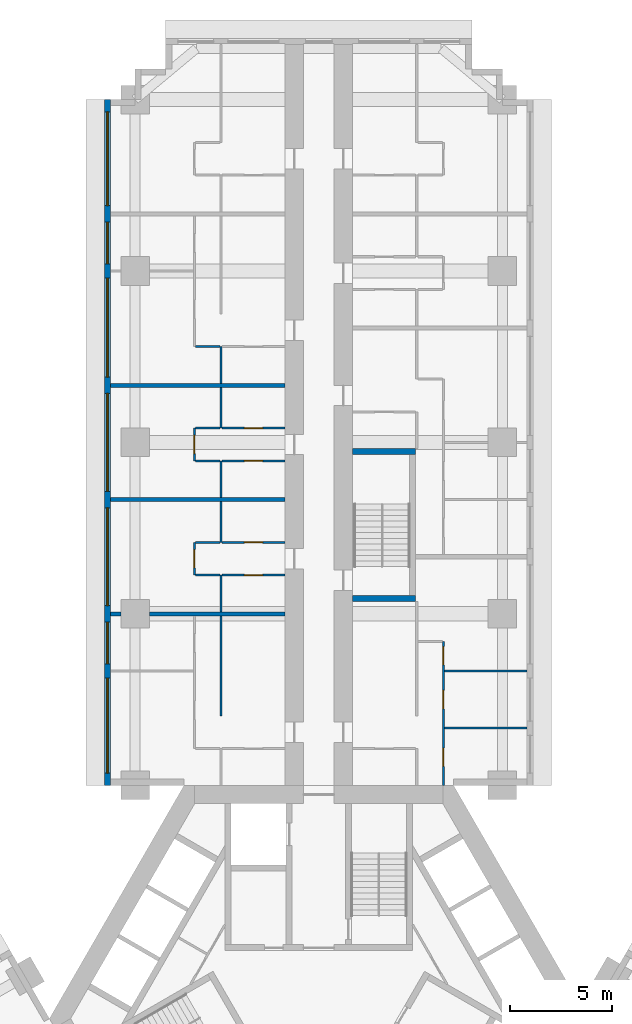
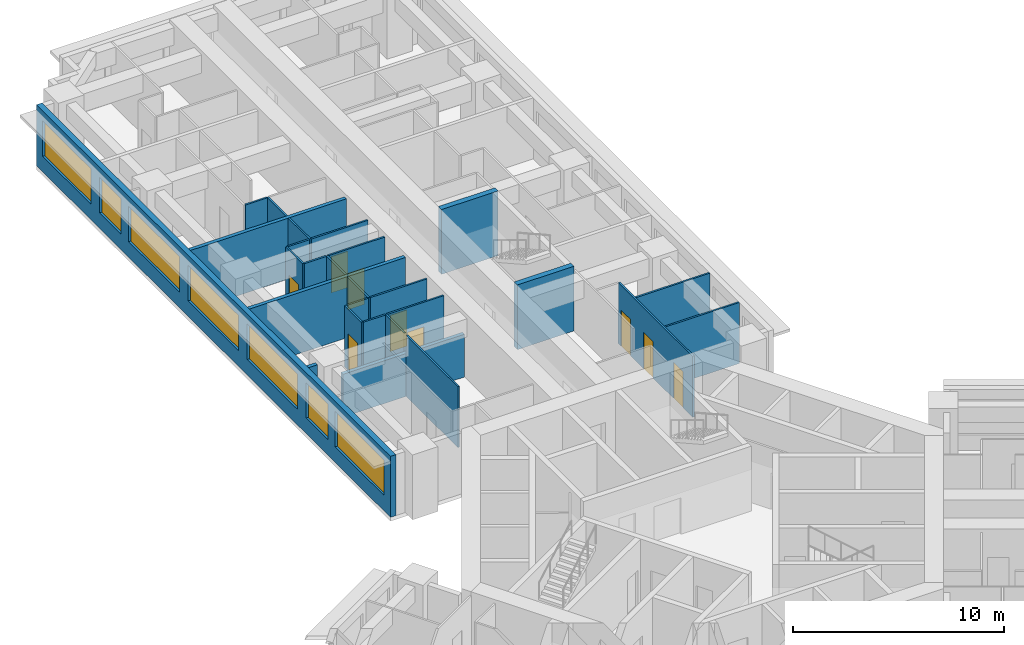
# One storey, part 9 of 16: 27 walls, 9 doors, 7 windows, 16 openings.
"""IFC4 building model written with IfcOpenShell, lengths in metres."""

from ifc_helpers import new_model, si_unit, direction, frame, frame_2d, origin, place, context, subcontext, project, spatial, rectangle, extrude, material, layer, layer_set, type_object, element, fill, save


model = new_model("IFC4")

# Units and contexts
model_context = context("Model", 3, precision=1e-05, world=origin(), true_north=direction((0.0, 1.0)))
body_context = subcontext(model_context, "Body", "Model", "MODEL_VIEW")
ifc_project = project(units=[si_unit("LENGTHUNIT", "METRE"), si_unit("AREAUNIT", "SQUARE_METRE"), si_unit("VOLUMEUNIT", "CUBIC_METRE"), si_unit("PLANEANGLEUNIT", "RADIAN"), si_unit("MASSUNIT", "GRAM", prefix="KILO")], contexts=[model_context])

# Site, building, storey
site_placement = place(None, origin())
site = spatial("IfcSite", under=ifc_project, at=site_placement, CompositionType="ELEMENT")
building_placement = place(site_placement, origin())
building = spatial("IfcBuilding", under=site, at=building_placement, Name="Impinga Residences", CompositionType="ELEMENT")
storey_placement = place(building_placement, frame((0.0, 0.0, 59.75)))
storey = spatial("IfcBuildingStorey", under=building, at=storey_placement, Name="L14", CompositionType="ELEMENT", Elevation=59.75)

# Wall, openings, windows
ifc_material_1 = material(Name="Terracotta rainscreen on blockwork", Category="masonry")
ifc_layer_1 = layer(ifc_material_1, 0.300048828125)
ifc_layer_set_1 = layer_set([ifc_layer_1], Name="EW1 external wall, terracotta rainscreen on blockwork 300")
wall_type_1 = type_object("IfcWallType", Name="EW1 external wall, terracotta rainscreen on blockwork 300", PredefinedType="SOLIDWALL", material=ifc_layer_set_1)
wall_1_placement = place(storey_placement, frame((-10.35009765625, 11.431640625, 0.0), z_axis=(0.0, 0.0, 1.0), x_axis=(0.0, 1.0, 0.0)))
wall_1 = element("IfcWall", 1, at=wall_1_placement, inside=storey, type_object=wall_type_1, Name="External wall EW1 L14", PredefinedType="SOLIDWALL", context=body_context, shape_type="SweptSolid", body=[
    extrude(rectangle(XDim=33.599853515625, YDim=0.300048828125, at=frame_2d((16.7998046875, 0.0))), origin(), (0.0, 0.0, 1.0), 3.530029296875),
])
opening_1_placement = place(wall_1_placement, frame((0.60009765625, 0.0, 0.89990234375)))
opening_1 = element("IfcOpeningElement", 2, at=opening_1_placement, cuts=wall_1, Name="Opening W10", PredefinedType="OPENING", context=body_context, shape_type="SweptSolid", body=[
    extrude(rectangle(XDim=4.64990234375, YDim=2.050048828125, at=frame_2d((2.324951171875, 1.02490234375))), frame((0.0, 0.159912109375, 0.0), z_axis=(0.0, -1.0, 0.0), x_axis=(1.0, 0.0, 0.0)), (0.0, 0.0, 1.0), 0.320068359375),
])
opening_2_placement = place(wall_1_placement, frame((5.949951171875, 0.0, 0.89990234375)))
opening_2 = element("IfcOpeningElement", 3, at=opening_2_placement, cuts=wall_1, Name="Opening W14", PredefinedType="OPENING", context=body_context, shape_type="SweptSolid", body=[
    extrude(rectangle(XDim=2.050048828125, YDim=2.050048828125, at=frame_2d((1.02490234375, 1.02490234375))), frame((0.0, 0.159912109375, 0.0), z_axis=(0.0, -1.0, 0.0), x_axis=(1.0, 0.0, 0.0)), (0.0, 0.0, 1.0), 0.320068359375),
])
opening_3_placement = place(wall_1_placement, frame((8.800048828125, 0.0, 0.89990234375)))
opening_3 = element("IfcOpeningElement", 4, at=opening_3_placement, cuts=wall_1, Name="Opening W8", PredefinedType="OPENING", context=body_context, shape_type="SweptSolid", body=[
    extrude(rectangle(XDim=4.800048828125, YDim=2.050048828125, at=frame_2d((2.39990234375, 1.02490234375))), frame((0.0, 0.159912109375, 0.0), z_axis=(0.0, -1.0, 0.0), x_axis=(1.0, 0.0, 0.0)), (0.0, 0.0, 1.0), 0.320068359375),
])
opening_4_placement = place(wall_1_placement, frame((14.39990234375, 0.0, 0.89990234375)))
opening_4 = element("IfcOpeningElement", 5, at=opening_4_placement, cuts=wall_1, Name="Opening W8", PredefinedType="OPENING", context=body_context, shape_type="SweptSolid", body=[
    extrude(rectangle(XDim=4.800048828125, YDim=2.050048828125, at=frame_2d((2.39990234375, 1.02490234375))), frame((0.0, 0.159912109375, 0.0), z_axis=(0.0, -1.0, 0.0), x_axis=(1.0, 0.0, 0.0)), (0.0, 0.0, 1.0), 0.320068359375),
])
opening_5_placement = place(wall_1_placement, frame((20.0, 0.0, 0.89990234375)))
opening_5 = element("IfcOpeningElement", 6, at=opening_5_placement, cuts=wall_1, Name="Opening W6", PredefinedType="OPENING", context=body_context, shape_type="SweptSolid", body=[
    extrude(rectangle(XDim=4.85009765625, YDim=2.050048828125, at=frame_2d((2.425048828125, 1.02490234375))), frame((0.0, 0.159912109375, 0.0), z_axis=(0.0, -1.0, 0.0), x_axis=(1.0, 0.0, 0.0)), (0.0, 0.0, 1.0), 0.320068359375),
])
opening_6_placement = place(wall_1_placement, frame((25.550048828125, 0.0, 0.89990234375)))
opening_6 = element("IfcOpeningElement", 7, at=opening_6_placement, cuts=wall_1, Name="Opening W14", PredefinedType="OPENING", context=body_context, shape_type="SweptSolid", body=[
    extrude(rectangle(XDim=2.050048828125, YDim=2.050048828125, at=frame_2d((1.02490234375, 1.02490234375))), frame((0.0, 0.159912109375, 0.0), z_axis=(0.0, -1.0, 0.0), x_axis=(1.0, 0.0, 0.0)), (0.0, 0.0, 1.0), 0.320068359375),
])
opening_7_placement = place(wall_1_placement, frame((28.39990234375, 0.0, 0.89990234375)))
opening_7 = element("IfcOpeningElement", 8, at=opening_7_placement, cuts=wall_1, Name="Opening W3", PredefinedType="OPENING", context=body_context, shape_type="SweptSolid", body=[
    extrude(rectangle(XDim=4.60009765625, YDim=2.050048828125, at=frame_2d((2.300048828125, 1.02490234375))), frame((0.0, 0.159912109375, 0.0), z_axis=(0.0, -1.0, 0.0), x_axis=(1.0, 0.0, 0.0)), (0.0, 0.0, 1.0), 0.320068359375),
])
ifc_material_2 = material(Name="Aluminium window, clear double glazing", Category="aluminium")
window_type_1 = type_object("IfcWindowType", Name="W10 ribbon window 4650x2050", PartitioningType="SINGLE_PANEL", PredefinedType="WINDOW", material=ifc_material_2)
window_1_placement = place(opening_1_placement, origin())
window_1 = element("IfcWindow", 9, at=window_1_placement, inside=storey, type_object=window_type_1, Name="Window L14", OverallHeight=2.050048828125, OverallWidth=4.64990234375, PartitioningType="SINGLE_PANEL", PredefinedType="WINDOW", context=body_context, shape_type="SweptSolid", body=[
    extrude(rectangle(XDim=4.64990234375, YDim=2.050048828125, at=frame_2d((2.324951171875, 1.02490234375))), frame((0.0, 0.030029296875, 0.0), z_axis=(0.0, -1.0, 0.0), x_axis=(1.0, 0.0, 0.0)), (0.0, 0.0, 1.0), 0.06005859375),
])
fill(opening_1, window_1)
window_type_2 = type_object("IfcWindowType", Name="W14 ribbon window 2050x2050", PartitioningType="SINGLE_PANEL", PredefinedType="WINDOW", material=ifc_material_2)
window_2_placement = place(opening_2_placement, origin())
window_2 = element("IfcWindow", 10, at=window_2_placement, inside=storey, type_object=window_type_2, Name="Window L14", OverallHeight=2.050048828125, OverallWidth=2.050048828125, PartitioningType="SINGLE_PANEL", PredefinedType="WINDOW", context=body_context, shape_type="SweptSolid", body=[
    extrude(rectangle(XDim=2.050048828125, YDim=2.050048828125, at=frame_2d((1.02490234375, 1.02490234375))), frame((0.0, 0.030029296875, 0.0), z_axis=(0.0, -1.0, 0.0), x_axis=(1.0, 0.0, 0.0)), (0.0, 0.0, 1.0), 0.06005859375),
])
fill(opening_2, window_2)
window_3_placement = place(opening_6_placement, origin())
window_3 = element("IfcWindow", 11, at=window_3_placement, inside=storey, type_object=window_type_2, Name="Window L14", OverallHeight=2.050048828125, OverallWidth=2.050048828125, PartitioningType="SINGLE_PANEL", PredefinedType="WINDOW", context=body_context, shape_type="SweptSolid", body=[
    extrude(rectangle(XDim=2.050048828125, YDim=2.050048828125, at=frame_2d((1.02490234375, 1.02490234375))), frame((0.0, 0.030029296875, 0.0), z_axis=(0.0, -1.0, 0.0), x_axis=(1.0, 0.0, 0.0)), (0.0, 0.0, 1.0), 0.06005859375),
])
fill(opening_6, window_3)
window_type_3 = type_object("IfcWindowType", Name="W3 ribbon window 4600x2050", PartitioningType="SINGLE_PANEL", PredefinedType="WINDOW", material=ifc_material_2)
window_4_placement = place(opening_7_placement, origin())
window_4 = element("IfcWindow", 12, at=window_4_placement, inside=storey, type_object=window_type_3, Name="Window L14", OverallHeight=2.050048828125, OverallWidth=4.60009765625, PartitioningType="SINGLE_PANEL", PredefinedType="WINDOW", context=body_context, shape_type="SweptSolid", body=[
    extrude(rectangle(XDim=4.60009765625, YDim=2.050048828125, at=frame_2d((2.300048828125, 1.02490234375))), frame((0.0, 0.030029296875, 0.0), z_axis=(0.0, -1.0, 0.0), x_axis=(1.0, 0.0, 0.0)), (0.0, 0.0, 1.0), 0.06005859375),
])
fill(opening_7, window_4)
window_type_4 = type_object("IfcWindowType", Name="W6 ribbon window 4850x2050", PartitioningType="SINGLE_PANEL", PredefinedType="WINDOW", material=ifc_material_2)
window_5_placement = place(opening_5_placement, origin())
window_5 = element("IfcWindow", 13, at=window_5_placement, inside=storey, type_object=window_type_4, Name="Window L14", OverallHeight=2.050048828125, OverallWidth=4.85009765625, PartitioningType="SINGLE_PANEL", PredefinedType="WINDOW", context=body_context, shape_type="SweptSolid", body=[
    extrude(rectangle(XDim=4.85009765625, YDim=2.050048828125, at=frame_2d((2.425048828125, 1.02490234375))), frame((0.0, 0.030029296875, 0.0), z_axis=(0.0, -1.0, 0.0), x_axis=(1.0, 0.0, 0.0)), (0.0, 0.0, 1.0), 0.06005859375),
])
fill(opening_5, window_5)
window_type_5 = type_object("IfcWindowType", Name="W8 ribbon window 4800x2050", PartitioningType="SINGLE_PANEL", PredefinedType="WINDOW", material=ifc_material_2)
window_6_placement = place(opening_3_placement, origin())
window_6 = element("IfcWindow", 14, at=window_6_placement, inside=storey, type_object=window_type_5, Name="Window L14", OverallHeight=2.050048828125, OverallWidth=4.800048828125, PartitioningType="SINGLE_PANEL", PredefinedType="WINDOW", context=body_context, shape_type="SweptSolid", body=[
    extrude(rectangle(XDim=4.800048828125, YDim=2.050048828125, at=frame_2d((2.39990234375, 1.02490234375))), frame((0.0, 0.030029296875, 0.0), z_axis=(0.0, -1.0, 0.0), x_axis=(1.0, 0.0, 0.0)), (0.0, 0.0, 1.0), 0.06005859375),
])
fill(opening_3, window_6)
window_7_placement = place(opening_4_placement, origin())
window_7 = element("IfcWindow", 15, at=window_7_placement, inside=storey, type_object=window_type_5, Name="Window L14", OverallHeight=2.050048828125, OverallWidth=4.800048828125, PartitioningType="SINGLE_PANEL", PredefinedType="WINDOW", context=body_context, shape_type="SweptSolid", body=[
    extrude(rectangle(XDim=4.800048828125, YDim=2.050048828125, at=frame_2d((2.39990234375, 1.02490234375))), frame((0.0, 0.030029296875, 0.0), z_axis=(0.0, -1.0, 0.0), x_axis=(1.0, 0.0, 0.0)), (0.0, 0.0, 1.0), 0.06005859375),
])
fill(opening_4, window_7)

# Walls
ifc_material_3 = material(Name="Gypsum board on steel studs", Category="steel")
ifc_layer_2 = layer(ifc_material_3, 0.10009765625)
ifc_layer_set_2 = layer_set([ifc_layer_2], Name="Gypsum board on steel studs")
wall_type_2 = type_object("IfcWallType", Name="IP1 partition 100", PredefinedType="PARTITIONING", material=ifc_layer_set_2)
wall_2_placement = place(storey_placement, frame((-4.800048828125, 14.83154296875, 0.0), z_axis=(0.0, 0.0, 1.0), x_axis=(0.0, 1.0, 0.0)))
element("IfcWall", 16, at=wall_2_placement, inside=storey, type_object=wall_type_2, Name="Partition L14-NA1:DIV1", PredefinedType="PARTITIONING", context=body_context, shape_type="SweptSolid", body=[
    extrude(rectangle(XDim=4.89990234375, YDim=0.10009765625, at=frame_2d((2.449951171875, 0.0))), origin(), (0.0, 0.0, 1.0), 3.530029296875),
])
wall_3_placement = place(storey_placement, frame((-4.800048828125, 19.931640625, 0.0), z_axis=(0.0, 0.0, 1.0), x_axis=(0.0, 1.0, 0.0)))
element("IfcWall", 17, at=wall_3_placement, inside=storey, type_object=wall_type_2, Name="Partition L14-NA2:DIV0", PredefinedType="PARTITIONING", context=body_context, shape_type="SweptSolid", body=[
    extrude(rectangle(XDim=1.7998046875, YDim=0.10009765625, at=frame_2d((0.89990234375, 0.0))), origin(), (0.0, 0.0, 1.0), 3.530029296875),
])
wall_4_placement = place(storey_placement, frame((-4.800048828125, 23.33154296875, 0.0), z_axis=(0.0, 0.0, 1.0), x_axis=(0.0, 1.0, 0.0)))
element("IfcWall", 18, at=wall_4_placement, inside=storey, type_object=wall_type_2, Name="Partition L14-NA2:DIV1", PredefinedType="PARTITIONING", context=body_context, shape_type="SweptSolid", body=[
    extrude(rectangle(XDim=2.0, YDim=0.10009765625, at=frame_2d((1.0, 0.0))), origin(), (0.0, 0.0, 1.0), 3.530029296875),
])

# Wall, opening, door
wall_5_placement = place(storey_placement, frame((-6.10009765625, 21.7314453125, 0.0), z_axis=(0.0, 0.0, 1.0), x_axis=(0.0, 1.0, 0.0)))
wall_5 = element("IfcWall", 19, at=wall_5_placement, inside=storey, type_object=wall_type_2, Name="Partition L14-NA2:STRIP", PredefinedType="PARTITIONING", context=body_context, shape_type="SweptSolid", body=[
    extrude(rectangle(XDim=1.60009765625, YDim=0.10009765625, at=frame_2d((0.800048828125, 0.0))), origin(), (0.0, 0.0, 1.0), 3.530029296875),
])
opening_8_placement = place(wall_5_placement, frame((0.35009765625, 0.0, 0.0)))
opening_8 = element("IfcOpeningElement", 20, at=opening_8_placement, cuts=wall_5, Name="Opening D2", PredefinedType="OPENING", context=body_context, shape_type="SweptSolid", body=[
    extrude(rectangle(XDim=0.89990234375, YDim=2.10009765625, at=frame_2d((0.449951171875, 1.050048828125))), frame((0.0, 0.06005859375, 0.0), z_axis=(0.0, -1.0, 0.0), x_axis=(1.0, 0.0, 0.0)), (0.0, 0.0, 1.0), 0.1201171875),
])
ifc_material_4 = material(Name="Timber door set", Category="wood")
door_type = type_object("IfcDoorType", Name="D2 internal door 900x2100", OperationType="SINGLE_SWING_LEFT", PredefinedType="DOOR", material=ifc_material_4)
door_1_placement = place(opening_8_placement, origin())
door_1 = element("IfcDoor", 21, at=door_1_placement, inside=storey, type_object=door_type, Name="Apartment L14-NA2 room door", OperationType="SINGLE_SWING_LEFT", OverallHeight=2.10009765625, OverallWidth=0.89990234375, PredefinedType="DOOR", context=body_context, shape_type="SweptSolid", body=[
    extrude(rectangle(XDim=0.89990234375, YDim=2.10009765625, at=frame_2d((0.449951171875, 1.050048828125))), frame((0.0, 0.02490234375, 0.0), z_axis=(0.0, -1.0, 0.0), x_axis=(1.0, 0.0, 0.0)), (0.0, 0.0, 1.0), 0.050048828125),
])
fill(opening_8, door_1)

# Walls
for number, where, z_axis, x_axis, name in (
    (22, (-4.85009765625, 21.7314453125, 0.0), (0.0, 0.0, 1.0), (-1.0, 0.0, 0.0), "Partition L14-NA2:SE0"),
    (23, (-4.85009765625, 23.33154296875, 0.0), (0.0, 0.0, 1.0), (-1.0, 0.0, 0.0), "Partition L14-NA2:SE1"),
):
    element("IfcWall", number, at=place(storey_placement, frame(where, z_axis=z_axis, x_axis=x_axis)), inside=storey, type_object=wall_type_2, Name=name, PredefinedType="PARTITIONING", context=body_context, shape_type="SweptSolid", body=[
        extrude(rectangle(XDim=1.199951171875, YDim=0.10009765625, at=frame_2d((0.60009765625, 0.0))), origin(), (0.0, 0.0, 1.0), 3.530029296875),
    ])

# Wall, opening, door
wall_6_placement = place(storey_placement, frame((-1.64990234375, 21.7314453125, 0.0), z_axis=(0.0, 0.0, 1.0), x_axis=(-1.0, 0.0, 0.0)))
wall_6 = element("IfcWall", 24, at=wall_6_placement, inside=storey, type_object=wall_type_2, Name="Partition L14-NA2:IB1", PredefinedType="PARTITIONING", context=body_context, shape_type="SweptSolid", body=[
    extrude(rectangle(XDim=3.10009765625, YDim=0.10009765625, at=frame_2d((1.550048828125, 0.0))), origin(), (0.0, 0.0, 1.0), 3.530029296875),
])
opening_9_placement = place(wall_6_placement, frame((1.10009765625, 0.0, 0.0)))
opening_9 = element("IfcOpeningElement", 25, at=opening_9_placement, cuts=wall_6, Name="Opening D2", PredefinedType="OPENING", context=body_context, shape_type="SweptSolid", body=[
    extrude(rectangle(XDim=0.89990234375, YDim=2.10009765625, at=frame_2d((0.449951171875, 1.050048828125))), frame((0.0, 0.06005859375, 0.0), z_axis=(0.0, -1.0, 0.0), x_axis=(1.0, 0.0, 0.0)), (0.0, 0.0, 1.0), 0.1201171875),
])
door_2_placement = place(opening_9_placement, origin())
door_2 = element("IfcDoor", 26, at=door_2_placement, inside=storey, type_object=door_type, Name="Apartment L14-NA2 bathroom door", OperationType="SINGLE_SWING_LEFT", OverallHeight=2.10009765625, OverallWidth=0.89990234375, PredefinedType="DOOR", context=body_context, shape_type="SweptSolid", body=[
    extrude(rectangle(XDim=0.89990234375, YDim=2.10009765625, at=frame_2d((0.449951171875, 1.050048828125))), frame((0.0, 0.02490234375, 0.0), z_axis=(0.0, -1.0, 0.0), x_axis=(1.0, 0.0, 0.0)), (0.0, 0.0, 1.0), 0.050048828125),
])
fill(opening_9, door_2)

wall_7_placement = place(storey_placement, frame((-1.64990234375, 23.33154296875, 0.0), z_axis=(0.0, 0.0, 1.0), x_axis=(-1.0, 0.0, 0.0)))
wall_7 = element("IfcWall", 27, at=wall_7_placement, inside=storey, type_object=wall_type_2, Name="Partition L14-NA2:IB2", PredefinedType="PARTITIONING", context=body_context, shape_type="SweptSolid", body=[
    extrude(rectangle(XDim=3.10009765625, YDim=0.10009765625, at=frame_2d((1.550048828125, 0.0))), origin(), (0.0, 0.0, 1.0), 3.530029296875),
])
opening_10_placement = place(wall_7_placement, frame((1.10009765625, 0.0, 0.0)))
opening_10 = element("IfcOpeningElement", 28, at=opening_10_placement, cuts=wall_7, Name="Opening D2", PredefinedType="OPENING", context=body_context, shape_type="SweptSolid", body=[
    extrude(rectangle(XDim=0.89990234375, YDim=2.10009765625, at=frame_2d((0.449951171875, 1.050048828125))), frame((0.0, 0.06005859375, 0.0), z_axis=(0.0, -1.0, 0.0), x_axis=(1.0, 0.0, 0.0)), (0.0, 0.0, 1.0), 0.1201171875),
])
door_3_placement = place(opening_10_placement, origin())
door_3 = element("IfcDoor", 29, at=door_3_placement, inside=storey, type_object=door_type, Name="Apartment L14-NA2 WC door", OperationType="SINGLE_SWING_LEFT", OverallHeight=2.10009765625, OverallWidth=0.89990234375, PredefinedType="DOOR", context=body_context, shape_type="SweptSolid", body=[
    extrude(rectangle(XDim=0.89990234375, YDim=2.10009765625, at=frame_2d((0.449951171875, 1.050048828125))), frame((0.0, 0.02490234375, 0.0), z_axis=(0.0, -1.0, 0.0), x_axis=(1.0, 0.0, 0.0)), (0.0, 0.0, 1.0), 0.050048828125),
])
fill(opening_10, door_3)

# Walls
wall_8_placement = place(storey_placement, frame((-4.800048828125, 25.531494140625, 0.0), z_axis=(0.0, 0.0, 1.0), x_axis=(0.0, 1.0, 0.0)))
element("IfcWall", 30, at=wall_8_placement, inside=storey, type_object=wall_type_2, Name="Partition L14-NA3:DIV0", PredefinedType="PARTITIONING", context=body_context, shape_type="SweptSolid", body=[
    extrude(rectangle(XDim=1.800048828125, YDim=0.10009765625, at=frame_2d((0.89990234375, 0.0))), origin(), (0.0, 0.0, 1.0), 3.530029296875),
])
wall_9_placement = place(storey_placement, frame((-4.800048828125, 28.931640625, 0.0), z_axis=(0.0, 0.0, 1.0), x_axis=(0.0, 1.0, 0.0)))
element("IfcWall", 31, at=wall_9_placement, inside=storey, type_object=wall_type_2, Name="Partition L14-NA3:DIV1", PredefinedType="PARTITIONING", context=body_context, shape_type="SweptSolid", body=[
    extrude(rectangle(XDim=2.0, YDim=0.10009765625, at=frame_2d((1.0, 0.0))), origin(), (0.0, 0.0, 1.0), 3.530029296875),
])

# Wall, opening, door
wall_10_placement = place(storey_placement, frame((-6.10009765625, 27.33154296875, 0.0), z_axis=(0.0, 0.0, 1.0), x_axis=(0.0, 1.0, 0.0)))
wall_10 = element("IfcWall", 32, at=wall_10_placement, inside=storey, type_object=wall_type_2, Name="Partition L14-NA3:STRIP", PredefinedType="PARTITIONING", context=body_context, shape_type="SweptSolid", body=[
    extrude(rectangle(XDim=1.60009765625, YDim=0.10009765625, at=frame_2d((0.800048828125, 0.0))), origin(), (0.0, 0.0, 1.0), 3.530029296875),
])
opening_11_placement = place(wall_10_placement, frame((0.35009765625, 0.0, 0.0)))
opening_11 = element("IfcOpeningElement", 33, at=opening_11_placement, cuts=wall_10, Name="Opening D2", PredefinedType="OPENING", context=body_context, shape_type="SweptSolid", body=[
    extrude(rectangle(XDim=0.89990234375, YDim=2.10009765625, at=frame_2d((0.449951171875, 1.050048828125))), frame((0.0, 0.06005859375, 0.0), z_axis=(0.0, -1.0, 0.0), x_axis=(1.0, 0.0, 0.0)), (0.0, 0.0, 1.0), 0.1201171875),
])
door_4_placement = place(opening_11_placement, origin())
door_4 = element("IfcDoor", 34, at=door_4_placement, inside=storey, type_object=door_type, Name="Apartment L14-NA3 room door", OperationType="SINGLE_SWING_LEFT", OverallHeight=2.10009765625, OverallWidth=0.89990234375, PredefinedType="DOOR", context=body_context, shape_type="SweptSolid", body=[
    extrude(rectangle(XDim=0.89990234375, YDim=2.10009765625, at=frame_2d((0.449951171875, 1.050048828125))), frame((0.0, 0.02490234375, 0.0), z_axis=(0.0, -1.0, 0.0), x_axis=(1.0, 0.0, 0.0)), (0.0, 0.0, 1.0), 0.050048828125),
])
fill(opening_11, door_4)

# Walls
for number, where, z_axis, x_axis, name in (
    (35, (-4.85009765625, 27.33154296875, 0.0), (0.0, 0.0, 1.0), (-1.0, 0.0, 0.0), "Partition L14-NA3:SE0"),
    (36, (-4.85009765625, 28.931640625, 0.0), (0.0, 0.0, 1.0), (-1.0, 0.0, 0.0), "Partition L14-NA3:SE1"),
):
    element("IfcWall", number, at=place(storey_placement, frame(where, z_axis=z_axis, x_axis=x_axis)), inside=storey, type_object=wall_type_2, Name=name, PredefinedType="PARTITIONING", context=body_context, shape_type="SweptSolid", body=[
        extrude(rectangle(XDim=1.199951171875, YDim=0.10009765625, at=frame_2d((0.60009765625, 0.0))), origin(), (0.0, 0.0, 1.0), 3.530029296875),
    ])

# Wall, opening, door
wall_11_placement = place(storey_placement, frame((-1.64990234375, 27.33154296875, 0.0), z_axis=(0.0, 0.0, 1.0), x_axis=(-1.0, 0.0, 0.0)))
wall_11 = element("IfcWall", 37, at=wall_11_placement, inside=storey, type_object=wall_type_2, Name="Partition L14-NA3:IB1", PredefinedType="PARTITIONING", context=body_context, shape_type="SweptSolid", body=[
    extrude(rectangle(XDim=3.10009765625, YDim=0.10009765625, at=frame_2d((1.550048828125, 0.0))), origin(), (0.0, 0.0, 1.0), 3.530029296875),
])
opening_12_placement = place(wall_11_placement, frame((1.10009765625, 0.0, 0.0)))
opening_12 = element("IfcOpeningElement", 38, at=opening_12_placement, cuts=wall_11, Name="Opening D2", PredefinedType="OPENING", context=body_context, shape_type="SweptSolid", body=[
    extrude(rectangle(XDim=0.89990234375, YDim=2.10009765625, at=frame_2d((0.449951171875, 1.050048828125))), frame((0.0, 0.06005859375, 0.0), z_axis=(0.0, -1.0, 0.0), x_axis=(1.0, 0.0, 0.0)), (0.0, 0.0, 1.0), 0.1201171875),
])
door_5_placement = place(opening_12_placement, origin())
door_5 = element("IfcDoor", 39, at=door_5_placement, inside=storey, type_object=door_type, Name="Apartment L14-NA3 bathroom door", OperationType="SINGLE_SWING_LEFT", OverallHeight=2.10009765625, OverallWidth=0.89990234375, PredefinedType="DOOR", context=body_context, shape_type="SweptSolid", body=[
    extrude(rectangle(XDim=0.89990234375, YDim=2.10009765625, at=frame_2d((0.449951171875, 1.050048828125))), frame((0.0, 0.02490234375, 0.0), z_axis=(0.0, -1.0, 0.0), x_axis=(1.0, 0.0, 0.0)), (0.0, 0.0, 1.0), 0.050048828125),
])
fill(opening_12, door_5)

wall_12_placement = place(storey_placement, frame((-1.64990234375, 28.931640625, 0.0), z_axis=(0.0, 0.0, 1.0), x_axis=(-1.0, 0.0, 0.0)))
wall_12 = element("IfcWall", 40, at=wall_12_placement, inside=storey, type_object=wall_type_2, Name="Partition L14-NA3:IB2", PredefinedType="PARTITIONING", context=body_context, shape_type="SweptSolid", body=[
    extrude(rectangle(XDim=3.10009765625, YDim=0.10009765625, at=frame_2d((1.550048828125, 0.0))), origin(), (0.0, 0.0, 1.0), 3.530029296875),
])
opening_13_placement = place(wall_12_placement, frame((1.10009765625, 0.0, 0.0)))
opening_13 = element("IfcOpeningElement", 41, at=opening_13_placement, cuts=wall_12, Name="Opening D2", PredefinedType="OPENING", context=body_context, shape_type="SweptSolid", body=[
    extrude(rectangle(XDim=0.89990234375, YDim=2.10009765625, at=frame_2d((0.449951171875, 1.050048828125))), frame((0.0, 0.06005859375, 0.0), z_axis=(0.0, -1.0, 0.0), x_axis=(1.0, 0.0, 0.0)), (0.0, 0.0, 1.0), 0.1201171875),
])
door_6_placement = place(opening_13_placement, origin())
door_6 = element("IfcDoor", 42, at=door_6_placement, inside=storey, type_object=door_type, Name="Apartment L14-NA3 WC door", OperationType="SINGLE_SWING_LEFT", OverallHeight=2.10009765625, OverallWidth=0.89990234375, PredefinedType="DOOR", context=body_context, shape_type="SweptSolid", body=[
    extrude(rectangle(XDim=0.89990234375, YDim=2.10009765625, at=frame_2d((0.449951171875, 1.050048828125))), frame((0.0, 0.02490234375, 0.0), z_axis=(0.0, -1.0, 0.0), x_axis=(1.0, 0.0, 0.0)), (0.0, 0.0, 1.0), 0.050048828125),
])
fill(opening_13, door_6)

# Walls
wall_13_placement = place(storey_placement, frame((-4.800048828125, 31.131591796875, 0.0), z_axis=(0.0, 0.0, 1.0), x_axis=(0.0, 1.0, 0.0)))
element("IfcWall", 43, at=wall_13_placement, inside=storey, type_object=wall_type_2, Name="Partition L14-NA4:DIV0", PredefinedType="PARTITIONING", context=body_context, shape_type="SweptSolid", body=[
    extrude(rectangle(XDim=1.800048828125, YDim=0.10009765625, at=frame_2d((0.89990234375, 0.0))), origin(), (0.0, 0.0, 1.0), 3.530029296875),
])
wall_14_placement = place(storey_placement, frame((-4.85009765625, 32.931640625, 0.0), z_axis=(0.0, 0.0, 1.0), x_axis=(-1.0, 0.0, 0.0)))
element("IfcWall", 44, at=wall_14_placement, inside=storey, type_object=wall_type_2, Name="Partition L14-NA4:SE0", PredefinedType="PARTITIONING", context=body_context, shape_type="SweptSolid", body=[
    extrude(rectangle(XDim=1.199951171875, YDim=0.10009765625, at=frame_2d((0.60009765625, 0.0))), origin(), (0.0, 0.0, 1.0), 3.530029296875),
])

# Wall, openings, doors
wall_15_placement = place(storey_placement, frame((6.10009765625, 11.431640625, 0.0), z_axis=(0.0, 0.0, 1.0), x_axis=(0.0, 1.0, 0.0)))
wall_15 = element("IfcWall", 45, at=wall_15_placement, inside=storey, type_object=wall_type_2, Name="Partition L14-NF1:STRIP", PredefinedType="PARTITIONING", context=body_context, shape_type="SweptSolid", body=[
    extrude(rectangle(XDim=7.0498046875, YDim=0.10009765625, at=frame_2d((3.52490234375, 0.0))), origin(), (0.0, 0.0, 1.0), 3.530029296875),
])
opening_14_placement = place(wall_15_placement, frame((0.925048828125, 0.0, 0.0)))
opening_14 = element("IfcOpeningElement", 46, at=opening_14_placement, cuts=wall_15, Name="Opening D2", PredefinedType="OPENING", context=body_context, shape_type="SweptSolid", body=[
    extrude(rectangle(XDim=0.89990234375, YDim=2.10009765625, at=frame_2d((0.449951171875, 1.050048828125))), frame((0.0, 0.06005859375, 0.0), z_axis=(0.0, -1.0, 0.0), x_axis=(1.0, 0.0, 0.0)), (0.0, 0.0, 1.0), 0.1201171875),
])
opening_15_placement = place(wall_15_placement, frame((3.75, 0.0, 0.0)))
opening_15 = element("IfcOpeningElement", 47, at=opening_15_placement, cuts=wall_15, Name="Opening D2", PredefinedType="OPENING", context=body_context, shape_type="SweptSolid", body=[
    extrude(rectangle(XDim=0.89990234375, YDim=2.10009765625, at=frame_2d((0.449951171875, 1.050048828125))), frame((0.0, 0.06005859375, 0.0), z_axis=(0.0, -1.0, 0.0), x_axis=(1.0, 0.0, 0.0)), (0.0, 0.0, 1.0), 0.1201171875),
])
opening_16_placement = place(wall_15_placement, frame((5.89990234375, 0.0, 0.0)))
opening_16 = element("IfcOpeningElement", 48, at=opening_16_placement, cuts=wall_15, Name="Opening D2", PredefinedType="OPENING", context=body_context, shape_type="SweptSolid", body=[
    extrude(rectangle(XDim=0.89990234375, YDim=2.10009765625, at=frame_2d((0.449951171875, 1.050048828125))), frame((0.0, 0.06005859375, 0.0), z_axis=(0.0, -1.0, 0.0), x_axis=(1.0, 0.0, 0.0)), (0.0, 0.0, 1.0), 0.1201171875),
])
door_7_placement = place(opening_14_placement, origin())
door_7 = element("IfcDoor", 49, at=door_7_placement, inside=storey, type_object=door_type, Name="Apartment L14-NF1 room door", OperationType="SINGLE_SWING_LEFT", OverallHeight=2.10009765625, OverallWidth=0.89990234375, PredefinedType="DOOR", context=body_context, shape_type="SweptSolid", body=[
    extrude(rectangle(XDim=0.89990234375, YDim=2.10009765625, at=frame_2d((0.449951171875, 1.050048828125))), frame((0.0, 0.02490234375, 0.0), z_axis=(0.0, -1.0, 0.0), x_axis=(1.0, 0.0, 0.0)), (0.0, 0.0, 1.0), 0.050048828125),
])
fill(opening_14, door_7)
door_8_placement = place(opening_15_placement, origin())
door_8 = element("IfcDoor", 50, at=door_8_placement, inside=storey, type_object=door_type, Name="Apartment L14-NF1 room door", OperationType="SINGLE_SWING_RIGHT", OverallHeight=2.10009765625, OverallWidth=0.89990234375, PredefinedType="DOOR", context=body_context, shape_type="SweptSolid", body=[
    extrude(rectangle(XDim=0.89990234375, YDim=2.10009765625, at=frame_2d((0.449951171875, 1.050048828125))), frame((0.0, 0.02490234375, 0.0), z_axis=(0.0, -1.0, 0.0), x_axis=(1.0, 0.0, 0.0)), (0.0, 0.0, 1.0), 0.050048828125),
])
fill(opening_15, door_8)
door_9_placement = place(opening_16_placement, origin())
door_9 = element("IfcDoor", 51, at=door_9_placement, inside=storey, type_object=door_type, Name="Apartment L14-NF1 room door", OperationType="SINGLE_SWING_RIGHT", OverallHeight=2.10009765625, OverallWidth=0.89990234375, PredefinedType="DOOR", context=body_context, shape_type="SweptSolid", body=[
    extrude(rectangle(XDim=0.89990234375, YDim=2.10009765625, at=frame_2d((0.449951171875, 1.050048828125))), frame((0.0, 0.02490234375, 0.0), z_axis=(0.0, -1.0, 0.0), x_axis=(1.0, 0.0, 0.0)), (0.0, 0.0, 1.0), 0.050048828125),
])
fill(opening_16, door_9)

# Walls
for number, where, z_axis, x_axis, name in (
    (52, (6.14990234375, 14.2314453125, 0.0), (0.0, 0.0, 1.0), (1.0, 0.0, 0.0), "Partition L14-NF1:OB1"),
    (53, (6.14990234375, 17.031494140625, 0.0), (0.0, 0.0, 1.0), (1.0, 0.0, 0.0), "Partition L14-NF1:OB2"),
):
    element("IfcWall", number, at=place(storey_placement, frame(where, z_axis=z_axis, x_axis=x_axis)), inside=storey, type_object=wall_type_2, Name=name, PredefinedType="PARTITIONING", context=body_context, shape_type="SweptSolid", body=[
        extrude(rectangle(XDim=4.050048828125, YDim=0.10009765625, at=frame_2d((2.02490234375, 0.0))), origin(), (0.0, 0.0, 1.0), 3.530029296875),
    ])
ifc_material_5 = material(Name="Concrete blockwork", Category="masonry")
ifc_layer_3 = layer(ifc_material_5, 0.199951171875)
ifc_layer_set_3 = layer_set([ifc_layer_3], Name="PW1 party wall between apartments 200")
wall_type_3 = type_object("IfcWallType", Name="PW1 party wall between apartments 200", PredefinedType="SOLIDWALL", material=ifc_layer_set_3)
wall_16_placement = place(storey_placement, frame((-1.64990234375, 19.83154296875, 0.0), z_axis=(0.0, 0.0, 1.0), x_axis=(-1.0, 0.0, 0.0)))
element("IfcWall", 54, at=wall_16_placement, inside=storey, type_object=wall_type_3, Name="Party wall between apartments L14-NA1:PARTY", PredefinedType="SOLIDWALL", context=body_context, shape_type="SweptSolid", body=[
    extrude(rectangle(XDim=6.650146484375, YDim=0.199951171875, at=frame_2d((3.3251953125, 0.0))), origin(), (0.0, 0.0, 1.0), 2.47998046875),
])
wall_17_placement = place(storey_placement, frame((-9.699951171875, 19.83154296875, 0.0), z_axis=(0.0, 0.0, 1.0), x_axis=(-1.0, 0.0, 0.0)))
element("IfcWall", 55, at=wall_17_placement, inside=storey, type_object=wall_type_3, Name="Party wall between apartments L14-NA1:PARTYb", PredefinedType="SOLIDWALL", context=body_context, shape_type="SweptSolid", body=[
    extrude(rectangle(XDim=0.5, YDim=0.199951171875, at=frame_2d((0.25, 0.0))), origin(), (0.0, 0.0, 1.0), 3.530029296875),
])
for number, where, z_axis, x_axis, name in (
    (56, (-1.64990234375, 25.431640625, 0.0), (0.0, 0.0, 1.0), (-1.0, 0.0, 0.0), "Party wall between apartments L14-NA2:PARTY"),
    (57, (-1.64990234375, 31.031494140625, 0.0), (0.0, 0.0, 1.0), (-1.0, 0.0, 0.0), "Party wall between apartments L14-NA3:PARTY"),
):
    element("IfcWall", number, at=place(storey_placement, frame(where, z_axis=z_axis, x_axis=x_axis)), inside=storey, type_object=wall_type_3, Name=name, PredefinedType="SOLIDWALL", context=body_context, shape_type="SweptSolid", body=[
        extrude(rectangle(XDim=8.550048828125, YDim=0.199951171875, at=frame_2d((4.27490234375, 0.0))), origin(), (0.0, 0.0, 1.0), 3.530029296875),
    ])
ifc_material_6 = material(Name="Concrete C60/75", Category="concrete")
ifc_layer_4 = layer(ifc_material_6, 0.300048828125)
ifc_layer_set_4 = layer_set([ifc_layer_4], Name="Concrete C60/75")
wall_type_4 = type_object("IfcWallType", Name="SE1 wing stair enclosure wall 300", PredefinedType="SOLIDWALL", material=ifc_layer_set_4)
for number, where, z_axis, x_axis, name in (
    (58, (1.64990234375, 20.58154296875, 0.0), (0.0, 0.0, 1.0), (1.0, 0.0, 0.0), "Stair enclosure wall SE1 N END0 L14"),
    (59, (1.64990234375, 27.781494140625, 0.0), (0.0, 0.0, 1.0), (1.0, 0.0, 0.0), "Stair enclosure wall SE1 N END1 L14"),
):
    element("IfcWall", number, at=place(storey_placement, frame(where, z_axis=z_axis, x_axis=x_axis)), inside=storey, type_object=wall_type_4, Name=name, PredefinedType="SOLIDWALL", context=body_context, shape_type="SweptSolid", body=[
        extrude(rectangle(XDim=3.10009765625, YDim=0.300048828125, at=frame_2d((1.550048828125, 0.0))), origin(), (0.0, 0.0, 1.0), 3.75),
    ])

save(model, "model.ifc")
